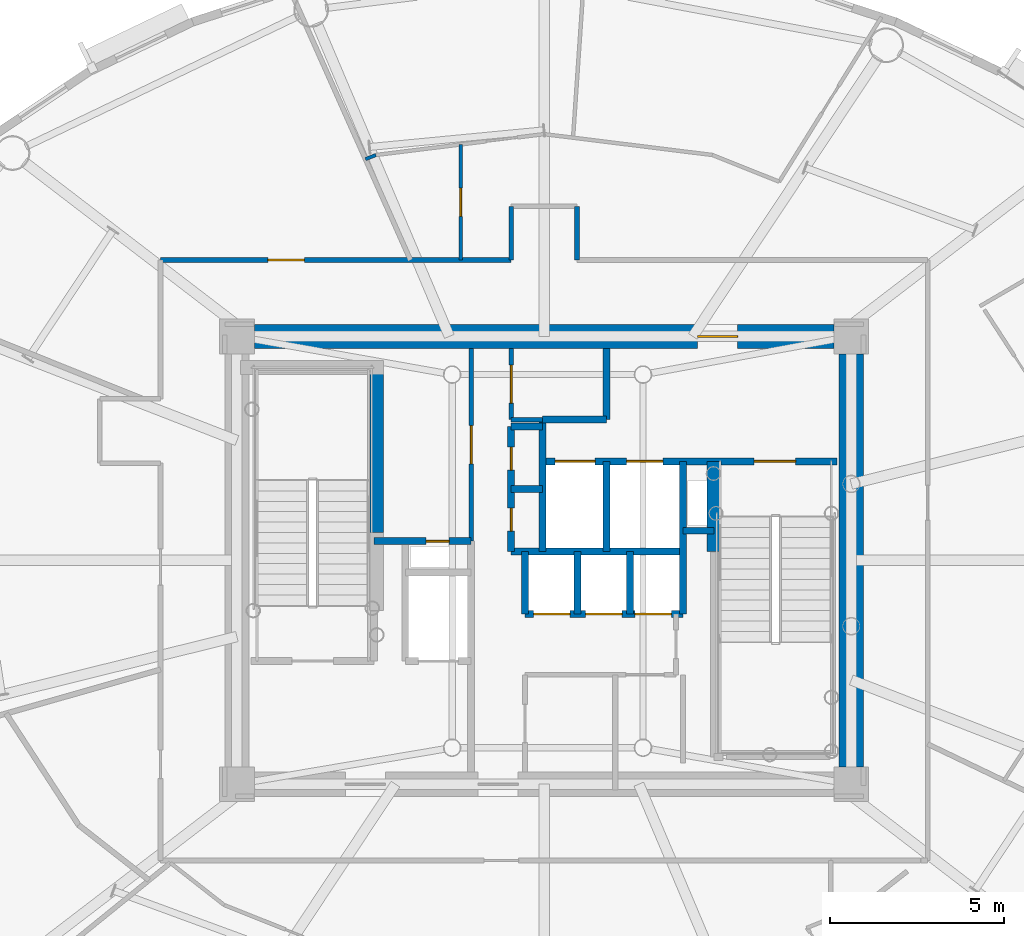
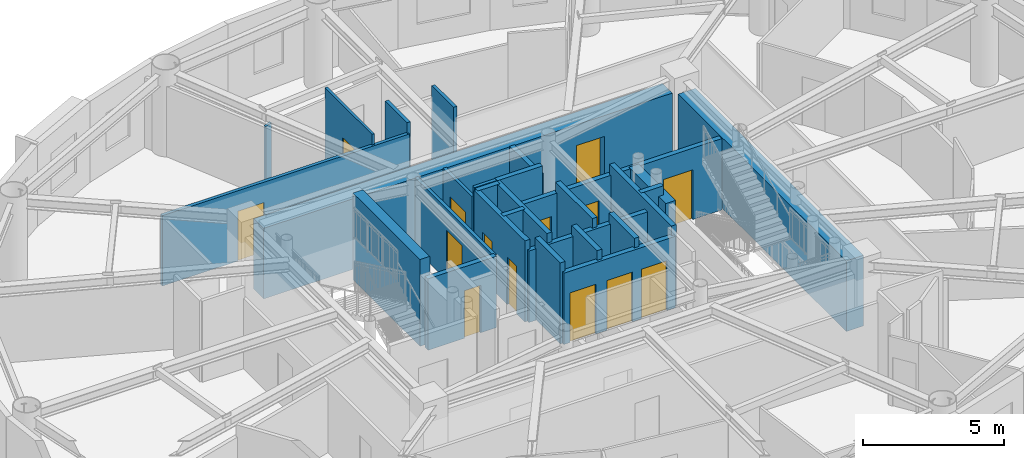
# One storey, part 8 of 17: 28 walls, 14 doors, 14 openings.
"""IFC4 building model written with IfcOpenShell, lengths in metres."""

from ifc_helpers import new_model, si_unit, direction, frame, frame_2d, origin, origin_2d, place, context, subcontext, project, spatial, rectangle, extrude, source, transform, mapped, material, layer, layer_set, type_object, element, fill, save


model = new_model("IFC4")

# Units and contexts
model_context = context("Model", 3, precision=1e-05, world=origin(), true_north=direction((0.0, 1.0)))
body_context = subcontext(model_context, "Body", "Model", "MODEL_VIEW")
ifc_project = project(units=[si_unit("LENGTHUNIT", "METRE"), si_unit("AREAUNIT", "SQUARE_METRE"), si_unit("VOLUMEUNIT", "CUBIC_METRE"), si_unit("PLANEANGLEUNIT", "RADIAN"), si_unit("MASSUNIT", "GRAM", prefix="KILO")], contexts=[model_context])

# Site, building, storey
site_placement = place(None, origin())
site = spatial("IfcSite", under=ifc_project, at=site_placement, CompositionType="ELEMENT")
building_placement = place(site_placement, origin())
building = spatial("IfcBuilding", under=site, at=building_placement, Name="Linh Dai School and Residence Tower", CompositionType="ELEMENT")
storey_placement = place(building_placement, frame((0.0, 0.0, 310.5)))
storey = spatial("IfcBuildingStorey", under=building, at=storey_placement, Name="L77", CompositionType="ELEMENT", Elevation=310.5)

# Wall, opening, door
ifc_material_1 = material(Name="Autoclaved Aerated Concrete Blockwork", Category="masonry")
ifc_layer_1 = layer(ifc_material_1, 0.135009765625)
ifc_layer_set_1 = layer_set([ifc_layer_1], Name="Autoclaved Aerated Concrete Blockwork")
wall_type_1 = type_object("IfcWallType", Name="IW-CORR-135-EI90", PredefinedType="PARTITIONING", material=ifc_layer_set_1)
wall_1_placement = place(storey_placement, frame((24.949951171875, 35.64990234375, 0.0), z_axis=(0.0, 0.0, 1.0), x_axis=(1.0, 0.0, 0.0)))
wall_1 = element("IfcWall", 1, at=wall_1_placement, inside=storey, type_object=wall_type_1, Name="L77 Interior Partition Wall 012", PredefinedType="PARTITIONING", context=body_context, shape_type="SweptSolid", body=[
    extrude(rectangle(XDim=10.10009765625, YDim=0.135009765625, at=frame_2d((5.050048828125, 0.0))), origin(), (0.0, 0.0, 1.0), 3.034912109375),
])
opening_1_placement = place(wall_1_placement, frame((3.094482421875, 0.0, 0.0)))
opening_1 = element("IfcOpeningElement", 2, at=opening_1_placement, cuts=wall_1, Name="Opening D04", PredefinedType="OPENING", context=body_context, shape_type="SweptSolid", body=[
    extrude(rectangle(XDim=1.050048828125, YDim=2.14990234375, at=origin_2d()), frame((0.52490234375, 0.07763671875, 1.074951171875), z_axis=(0.0, -1.0, 0.0), x_axis=(1.0, 0.0, 0.0)), (0.0, 0.0, 1.0), 0.155029296875),
])
ifc_material_2 = material(Name="Acoustic Vision-Panel Timber Classroom Door", Category="wood")
door_type_1 = type_object("IfcDoorType", Name="DR-SCH-1050x2150-FD60S", OperationType="NOTDEFINED", PredefinedType="DOOR", material=ifc_material_2)
shared_shape_1 = source(origin(), body_context, "Body", "SweptSolid", [
    extrude(rectangle(XDim=1.050048828125, YDim=2.14990234375, at=origin_2d()), frame((0.52490234375, 0.02490234375, 1.074951171875), z_axis=(0.0, -1.0, 0.0), x_axis=(1.0, 0.0, 0.0)), (0.0, 0.0, 1.0), 0.050048828125),
])
door_1_placement = place(opening_1_placement, origin())
door_1 = element("IfcDoor", 3, at=door_1_placement, inside=storey, type_object=door_type_1, Name="L77 High-Zone Resident Gallery Door", OperationType="SINGLE_SWING_RIGHT", OverallHeight=2.14990234375, OverallWidth=1.050048828125, PredefinedType="DOOR", context=body_context, shape_type="MappedRepresentation", body=[
    mapped(shared_shape_1, transform((0.0, 0.0, 0.0), x_axis=(1.0, 0.0, 0.0), y_axis=(0.0, 1.0, 0.0), z_axis=(0.0, 0.0, 1.0), scale=1.0)),
])
fill(opening_1, door_1)

wall_2_placement = place(storey_placement, frame((33.89990234375, 27.56005859375, 0.0), z_axis=(0.0, 0.0, 1.0), x_axis=(0.0, 1.0, 0.0)))
wall_2 = element("IfcWall", 4, at=wall_2_placement, inside=storey, type_object=wall_type_1, Name="L77 Interior Partition Wall 028", PredefinedType="PARTITIONING", context=body_context, shape_type="SweptSolid", body=[
    extrude(rectangle(XDim=5.5400390625, YDim=0.135009765625, at=frame_2d((2.77001953125, 0.0))), origin(), (0.0, 0.0, 1.0), 3.0849609375),
])
opening_2_placement = place(wall_2_placement, frame((2.219970703125, 0.0, 0.0)))
opening_2 = element("IfcOpeningElement", 5, at=opening_2_placement, cuts=wall_2, Name="Opening D07", PredefinedType="OPENING", context=body_context, shape_type="SweptSolid", body=[
    extrude(rectangle(XDim=1.10009765625, YDim=2.14990234375, at=origin_2d()), frame((0.550048828125, 0.07763671875, 1.074951171875), z_axis=(0.0, -1.0, 0.0), x_axis=(1.0, 0.0, 0.0)), (0.0, 0.0, 1.0), 0.155029296875),
])
ifc_material_3 = material(Name="Fire-Rated Louvred Steel Plant Door", Category="steel")
door_type_2 = type_object("IfcDoorType", Name="DR-PLT-1100x2150-FD60S", OperationType="NOTDEFINED", PredefinedType="DOOR", material=ifc_material_3)
shared_shape_2 = source(origin(), body_context, "Body", "SweptSolid", [
    extrude(rectangle(XDim=1.10009765625, YDim=2.14990234375, at=origin_2d()), frame((0.550048828125, 0.02490234375, 1.074951171875), z_axis=(0.0, -1.0, 0.0), x_axis=(1.0, 0.0, 0.0)), (0.0, 0.0, 1.0), 0.050048828125),
])
door_2_placement = place(opening_2_placement, origin())
door_2 = element("IfcDoor", 6, at=door_2_placement, inside=storey, type_object=door_type_2, Name="L77 High-Zone Housekeeping Suite Door", OperationType="SINGLE_SWING_LEFT", OverallHeight=2.14990234375, OverallWidth=1.10009765625, PredefinedType="DOOR", context=body_context, shape_type="MappedRepresentation", body=[
    mapped(shared_shape_2, transform((0.0, 0.0, 0.0), x_axis=(1.0, 0.0, 0.0), y_axis=(0.0, 1.0, 0.0), z_axis=(0.0, 0.0, 1.0), scale=1.0)),
])
fill(opening_2, door_2)

wall_3_placement = place(storey_placement, frame((35.050048828125, 31.050048828125, 0.0), z_axis=(0.0, 0.0, 1.0), x_axis=(0.0, 1.0, 0.0)))
wall_3 = element("IfcWall", 7, at=wall_3_placement, inside=storey, type_object=wall_type_1, Name="L77 Interior Partition Wall 033", PredefinedType="PARTITIONING", context=body_context, shape_type="SweptSolid", body=[
    extrude(rectangle(XDim=2.050048828125, YDim=0.135009765625, at=frame_2d((1.02490234375, 0.0))), origin(), (0.0, 0.0, 1.0), 3.0849609375),
])
opening_3_placement = place(wall_3_placement, frame((0.47509765625, 0.0, 0.0)))
opening_3 = element("IfcOpeningElement", 8, at=opening_3_placement, cuts=wall_3, Name="Opening D07", PredefinedType="OPENING", context=body_context, shape_type="SweptSolid", body=[
    extrude(rectangle(XDim=1.10009765625, YDim=2.14990234375, at=origin_2d()), frame((0.550048828125, 0.07763671875, 1.074951171875), z_axis=(0.0, -1.0, 0.0), x_axis=(1.0, 0.0, 0.0)), (0.0, 0.0, 1.0), 0.155029296875),
])
door_3_placement = place(opening_3_placement, origin())
door_3 = element("IfcDoor", 9, at=door_3_placement, inside=storey, type_object=door_type_2, Name="L77 North BMS Switchroom Door", OperationType="SINGLE_SWING_RIGHT", OverallHeight=2.14990234375, OverallWidth=1.10009765625, PredefinedType="DOOR", context=body_context, shape_type="MappedRepresentation", body=[
    mapped(shared_shape_2, transform((0.0, 0.0, 0.0), x_axis=(1.0, 0.0, 0.0), y_axis=(0.0, 1.0, 0.0), z_axis=(0.0, 0.0, 1.0), scale=1.0)),
])
fill(opening_3, door_3)

# Walls
wall_4_placement = place(storey_placement, frame((35.050048828125, 31.050048828125, 0.0), z_axis=(0.0, 0.0, 1.0), x_axis=(1.0, 0.0, 0.0)))
element("IfcWall", 10, at=wall_4_placement, inside=storey, type_object=wall_type_1, Name="L77 Interior Partition Wall 034", PredefinedType="PARTITIONING", context=body_context, shape_type="SweptSolid", body=[
    extrude(rectangle(XDim=0.89990234375, YDim=0.135009765625, at=frame_2d((0.449951171875, 0.0))), origin(), (0.0, 0.0, 1.0), 3.5),
])
for number, where, z_axis, x_axis, name in (
    (11, (35.050048828125, 35.64990234375, 0.0), (0.0, 0.0, 1.0), (0.0, 1.0, 0.0), "L77 Interior Partition Wall 035"),
    (12, (36.949951171875, 35.64990234375, 0.0), (0.0, 0.0, 1.0), (0.0, 1.0, 0.0), "L77 Interior Partition Wall 047"),
):
    element("IfcWall", number, at=place(storey_placement, frame(where, z_axis=z_axis, x_axis=x_axis)), inside=storey, type_object=wall_type_1, Name=name, PredefinedType="PARTITIONING", context=body_context, shape_type="SweptSolid", body=[
        extrude(rectangle(XDim=1.550048828125, YDim=0.135009765625, at=frame_2d((0.77490234375, 0.0))), origin(), (0.0, 0.0, 1.0), 3.5),
    ])

# Wall, opening, door
ifc_material_4 = material(Name="Concrete B45 (C35/45)", Category="concrete")
ifc_layer_2 = layer(ifc_material_4, 0.199951171875)
ifc_layer_set_2 = layer_set([ifc_layer_2], Name="Concrete B45 (C35/45)")
wall_type_2 = type_object("IfcWallType", Name="IW-SHAFT-200-EI120", PredefinedType="PARTITIONING", material=ifc_layer_set_2)
wall_5_placement = place(storey_placement, frame((31.10009765625, 27.550048828125, 0.0), z_axis=(0.0, 0.0, 1.0), x_axis=(1.0, 0.0, 0.0)))
wall_5 = element("IfcWall", 13, at=wall_5_placement, inside=storey, type_object=wall_type_2, Name="L77 Interior Partition Wall 020", PredefinedType="PARTITIONING", context=body_context, shape_type="SweptSolid", body=[
    extrude(rectangle(XDim=2.7998046875, YDim=0.199951171875, at=frame_2d((1.39990234375, 0.0))), origin(), (0.0, 0.0, 1.0), 3.0849609375),
])
opening_4_placement = place(wall_5_placement, frame((1.5, 0.0, 0.0)))
opening_4 = element("IfcOpeningElement", 14, at=opening_4_placement, cuts=wall_5, Name="Opening AD1", PredefinedType="OPENING", context=body_context, shape_type="SweptSolid", body=[
    extrude(rectangle(XDim=0.659912109375, YDim=2.050048828125, at=origin_2d()), frame((0.330078125, 0.10986328125, 1.02490234375), z_axis=(0.0, -1.0, 0.0), x_axis=(1.0, 0.0, 0.0)), (0.0, 0.0, 1.0), 0.219970703125),
])
ifc_material_5 = material(Name="Fire-Rated Steel Riser Access Door", Category="steel")
door_type_3 = type_object("IfcDoorType", Name="DR-ACC-660x2050-FD90S", OperationType="NOTDEFINED", PredefinedType="USERDEFINED", material=ifc_material_5)
shared_shape_3 = source(origin(), body_context, "Body", "SweptSolid", [
    extrude(rectangle(XDim=0.659912109375, YDim=2.050048828125, at=origin_2d()), frame((0.330078125, 0.02490234375, 1.02490234375), z_axis=(0.0, -1.0, 0.0), x_axis=(1.0, 0.0, 0.0)), (0.0, 0.0, 1.0), 0.050048828125),
])
door_4_placement = place(opening_4_placement, origin())
door_4 = element("IfcDoor", 15, at=door_4_placement, inside=storey, type_object=door_type_3, Name="L77 Main Electrical Riser Access Door", ObjectType="ACCESS DOOR", OperationType="SINGLE_SWING_RIGHT", OverallHeight=2.050048828125, OverallWidth=0.659912109375, PredefinedType="USERDEFINED", context=body_context, shape_type="MappedRepresentation", body=[
    mapped(shared_shape_3, transform((0.0, 0.0, 0.0), x_axis=(1.0, 0.0, 0.0), y_axis=(0.0, 1.0, 0.0), z_axis=(0.0, 0.0, 1.0), scale=1.0)),
])
fill(opening_4, door_4)

# Wall, openings, doors
wall_6_placement = place(storey_placement, frame((35.050048828125, 27.25, 0.0), z_axis=(0.0, 0.0, 1.0), x_axis=(0.0, 1.0, 0.0)))
wall_6 = element("IfcWall", 16, at=wall_6_placement, inside=storey, type_object=wall_type_2, Name="L77 Interior Partition Wall 029", PredefinedType="PARTITIONING", context=body_context, shape_type="SweptSolid", body=[
    extrude(rectangle(XDim=3.60009765625, YDim=0.199951171875, at=frame_2d((1.800048828125, 0.0))), origin(), (0.0, 0.0, 1.0), 3.5),
])
opening_5_placement = place(wall_6_placement, frame((0.590087890625, 0.0, 0.0)))
opening_5 = element("IfcOpeningElement", 17, at=opening_5_placement, cuts=wall_6, Name="Opening AD1", PredefinedType="OPENING", context=body_context, shape_type="SweptSolid", body=[
    extrude(rectangle(XDim=0.659912109375, YDim=2.050048828125, at=origin_2d()), frame((0.330078125, 0.10986328125, 1.02490234375), z_axis=(0.0, -1.0, 0.0), x_axis=(1.0, 0.0, 0.0)), (0.0, 0.0, 1.0), 0.219970703125),
])
opening_6_placement = place(wall_6_placement, frame((2.35009765625, 0.0, 0.0)))
opening_6 = element("IfcOpeningElement", 18, at=opening_6_placement, cuts=wall_6, Name="Opening AD1", PredefinedType="OPENING", context=body_context, shape_type="SweptSolid", body=[
    extrude(rectangle(XDim=0.659912109375, YDim=2.050048828125, at=origin_2d()), frame((0.330078125, 0.10986328125, 1.02490234375), z_axis=(0.0, -1.0, 0.0), x_axis=(1.0, 0.0, 0.0)), (0.0, 0.0, 1.0), 0.219970703125),
])
door_5_placement = place(opening_5_placement, origin())
door_5 = element("IfcDoor", 19, at=door_5_placement, inside=storey, type_object=door_type_3, Name="L77 Telecom and Data Riser Access Door", ObjectType="ACCESS DOOR", OperationType="SINGLE_SWING_LEFT", OverallHeight=2.050048828125, OverallWidth=0.659912109375, PredefinedType="USERDEFINED", context=body_context, shape_type="MappedRepresentation", body=[
    mapped(shared_shape_3, transform((0.0, 0.0, 0.0), x_axis=(1.0, 0.0, 0.0), y_axis=(0.0, 1.0, 0.0), z_axis=(0.0, 0.0, 1.0), scale=1.0)),
])
fill(opening_5, door_5)
door_6_placement = place(opening_6_placement, origin())
door_6 = element("IfcDoor", 20, at=door_6_placement, inside=storey, type_object=door_type_3, Name="L77 Mechanical and Plumbing Riser Access Door", ObjectType="ACCESS DOOR", OperationType="SINGLE_SWING_RIGHT", OverallHeight=2.050048828125, OverallWidth=0.659912109375, PredefinedType="USERDEFINED", context=body_context, shape_type="MappedRepresentation", body=[
    mapped(shared_shape_3, transform((0.0, 0.0, 0.0), x_axis=(1.0, 0.0, 0.0), y_axis=(0.0, 1.0, 0.0), z_axis=(0.0, 0.0, 1.0), scale=1.0)),
])
fill(opening_6, door_6)

# Walls
wall_7_placement = place(storey_placement, frame((35.050048828125, 27.25, 0.0), z_axis=(0.0, 0.0, 1.0), x_axis=(1.0, 0.0, 0.0)))
element("IfcWall", 21, at=wall_7_placement, inside=storey, type_object=wall_type_2, Name="L77 Interior Partition Wall 030", PredefinedType="PARTITIONING", context=body_context, shape_type="SweptSolid", body=[
    extrude(rectangle(XDim=4.949951171875, YDim=0.199951171875, at=frame_2d((2.47509765625, 0.0))), origin(), (0.0, 0.0, 1.0), 3.0849609375),
])
for number, where, z_axis, x_axis, name in (
    (22, (35.050048828125, 29.050048828125, 0.0), (0.0, 0.0, 1.0), (1.0, 0.0, 0.0), "L77 Interior Partition Wall 031"),
    (23, (35.050048828125, 30.85009765625, 0.0), (0.0, 0.0, 1.0), (1.0, 0.0, 0.0), "L77 Interior Partition Wall 032"),
):
    element("IfcWall", number, at=place(storey_placement, frame(where, z_axis=z_axis, x_axis=x_axis)), inside=storey, type_object=wall_type_2, Name=name, PredefinedType="PARTITIONING", context=body_context, shape_type="SweptSolid", body=[
        extrude(rectangle(XDim=0.89990234375, YDim=0.199951171875, at=frame_2d((0.449951171875, 0.0))), origin(), (0.0, 0.0, 1.0), 3.5),
    ])
wall_8_placement = place(storey_placement, frame((35.449951171875, 25.449951171875, 0.0), z_axis=(0.0, 0.0, 1.0), x_axis=(0.0, 1.0, 0.0)))
element("IfcWall", 24, at=wall_8_placement, inside=storey, type_object=wall_type_2, Name="L77 Interior Partition Wall 039", PredefinedType="PARTITIONING", context=body_context, shape_type="SweptSolid", body=[
    extrude(rectangle(XDim=1.800048828125, YDim=0.199951171875, at=frame_2d((0.89990234375, 0.0))), origin(), (0.0, 0.0, 1.0), 3.5),
])

# Wall, openings, doors
wall_9_placement = place(storey_placement, frame((35.449951171875, 25.449951171875, 0.0), z_axis=(0.0, 0.0, 1.0), x_axis=(1.0, 0.0, 0.0)))
wall_9 = element("IfcWall", 25, at=wall_9_placement, inside=storey, type_object=wall_type_2, Name="L77 Interior Partition Wall 040", PredefinedType="PARTITIONING", context=body_context, shape_type="SweptSolid", body=[
    extrude(rectangle(XDim=4.550048828125, YDim=0.199951171875, at=frame_2d((2.27490234375, 0.0))), origin(), (0.0, 0.0, 1.0), 3.0849609375),
])
opening_7_placement = place(wall_9_placement, frame((0.25, 0.0, 0.0)))
opening_7 = element("IfcOpeningElement", 26, at=opening_7_placement, cuts=wall_9, Name="Opening LD-PL7", PredefinedType="OPENING", context=body_context, shape_type="SweptSolid", body=[
    extrude(rectangle(XDim=1.050048828125, YDim=2.14990234375, at=origin_2d()), frame((0.52490234375, 0.10986328125, 1.074951171875), z_axis=(0.0, -1.0, 0.0), x_axis=(1.0, 0.0, 0.0)), (0.0, 0.0, 1.0), 0.219970703125),
])
opening_8_placement = place(wall_9_placement, frame((1.7451171875, 0.0, 0.0)))
opening_8 = element("IfcOpeningElement", 27, at=opening_8_placement, cuts=wall_9, Name="Opening LD-PL8", PredefinedType="OPENING", context=body_context, shape_type="SweptSolid", body=[
    extrude(rectangle(XDim=1.050048828125, YDim=2.14990234375, at=origin_2d()), frame((0.52490234375, 0.10986328125, 1.074951171875), z_axis=(0.0, -1.0, 0.0), x_axis=(1.0, 0.0, 0.0)), (0.0, 0.0, 1.0), 0.219970703125),
])
opening_9_placement = place(wall_9_placement, frame((3.1650390625, 0.0, 0.0)))
opening_9 = element("IfcOpeningElement", 28, at=opening_9_placement, cuts=wall_9, Name="Opening LD-PL9", PredefinedType="OPENING", context=body_context, shape_type="SweptSolid", body=[
    extrude(rectangle(XDim=1.050048828125, YDim=2.14990234375, at=origin_2d()), frame((0.52490234375, 0.10986328125, 1.074951171875), z_axis=(0.0, -1.0, 0.0), x_axis=(1.0, 0.0, 0.0)), (0.0, 0.0, 1.0), 0.219970703125),
])
ifc_material_6 = material(Name="Brushed Stainless Steel Lift Landing Door", Category="steel")
door_type_4 = type_object("IfcDoorType", Name="DR-LD-PASS-1050x2150", OperationType="DOUBLE_DOOR_SLIDING", PredefinedType="USERDEFINED", material=ifc_material_6)
shared_shape_4 = source(origin(), body_context, "Body", "SweptSolid", [
    extrude(rectangle(XDim=1.050048828125, YDim=2.14990234375, at=origin_2d()), frame((0.52490234375, 0.02490234375, 1.074951171875), z_axis=(0.0, -1.0, 0.0), x_axis=(1.0, 0.0, 0.0)), (0.0, 0.0, 1.0), 0.050048828125),
])
door_7_placement = place(opening_7_placement, origin())
door_7 = element("IfcDoor", 29, at=door_7_placement, inside=storey, type_object=door_type_4, Name="L77 Lift PL7 Sliding Landing Door", ObjectType="LANDING DOOR", OperationType="DOUBLE_DOOR_SLIDING", OverallHeight=2.14990234375, OverallWidth=1.050048828125, PredefinedType="USERDEFINED", context=body_context, shape_type="MappedRepresentation", body=[
    mapped(shared_shape_4, transform((0.0, 0.0, 0.0), x_axis=(1.0, 0.0, 0.0), y_axis=(0.0, 1.0, 0.0), z_axis=(0.0, 0.0, 1.0), scale=1.0)),
])
fill(opening_7, door_7)
door_8_placement = place(opening_8_placement, origin())
door_8 = element("IfcDoor", 30, at=door_8_placement, inside=storey, type_object=door_type_4, Name="L77 Lift PL8 Sliding Landing Door", ObjectType="LANDING DOOR", OperationType="DOUBLE_DOOR_SLIDING", OverallHeight=2.14990234375, OverallWidth=1.050048828125, PredefinedType="USERDEFINED", context=body_context, shape_type="MappedRepresentation", body=[
    mapped(shared_shape_4, transform((0.0, 0.0, 0.0), x_axis=(1.0, 0.0, 0.0), y_axis=(0.0, 1.0, 0.0), z_axis=(0.0, 0.0, 1.0), scale=1.0)),
])
fill(opening_8, door_8)
door_9_placement = place(opening_9_placement, origin())
door_9 = element("IfcDoor", 31, at=door_9_placement, inside=storey, type_object=door_type_4, Name="L77 Lift PL9 Sliding Landing Door", ObjectType="LANDING DOOR", OperationType="DOUBLE_DOOR_SLIDING", OverallHeight=2.14990234375, OverallWidth=1.050048828125, PredefinedType="USERDEFINED", context=body_context, shape_type="MappedRepresentation", body=[
    mapped(shared_shape_4, transform((0.0, 0.0, 0.0), x_axis=(1.0, 0.0, 0.0), y_axis=(0.0, 1.0, 0.0), z_axis=(0.0, 0.0, 1.0), scale=1.0)),
])
fill(opening_9, door_9)

# Wall
wall_10_placement = place(storey_placement, frame((35.949951171875, 27.25, 0.0), z_axis=(0.0, 0.0, 1.0), x_axis=(0.0, 1.0, 0.0)))
element("IfcWall", 32, at=wall_10_placement, inside=storey, type_object=wall_type_2, Name="L77 Interior Partition Wall 041", PredefinedType="PARTITIONING", context=body_context, shape_type="SweptSolid", body=[
    extrude(rectangle(XDim=3.800048828125, YDim=0.199951171875, at=frame_2d((1.89990234375, 0.0))), origin(), (0.0, 0.0, 1.0), 3.5),
])

# Wall, openings, doors
wall_11_placement = place(storey_placement, frame((35.949951171875, 29.85009765625, 0.0), z_axis=(0.0, 0.0, 1.0), x_axis=(1.0, 0.0, 0.0)))
wall_11 = element("IfcWall", 33, at=wall_11_placement, inside=storey, type_object=wall_type_2, Name="L77 Interior Partition Wall 042", PredefinedType="PARTITIONING", context=body_context, shape_type="SweptSolid", body=[
    extrude(rectangle(XDim=8.489990234375, YDim=0.199951171875, at=frame_2d((4.2451171875, 0.0))), origin(), (0.0, 0.0, 1.0), 3.0849609375),
])
opening_10_placement = place(wall_11_placement, frame((6.10009765625, 0.0, 0.0)))
opening_10 = element("IfcOpeningElement", 34, at=opening_10_placement, cuts=wall_11, Name="Opening D01", PredefinedType="OPENING", context=body_context, shape_type="SweptSolid", body=[
    extrude(rectangle(XDim=1.199951171875, YDim=2.14990234375, at=origin_2d()), frame((0.60009765625, 0.10986328125, 1.074951171875), z_axis=(0.0, -1.0, 0.0), x_axis=(1.0, 0.0, 0.0)), (0.0, 0.0, 1.0), 0.219970703125),
])
opening_11_placement = place(wall_11_placement, frame((0.3701171875, 0.0, 0.0)))
opening_11 = element("IfcOpeningElement", 35, at=opening_11_placement, cuts=wall_11, Name="Opening LD-FF1", PredefinedType="OPENING", context=body_context, shape_type="SweptSolid", body=[
    extrude(rectangle(XDim=1.14990234375, YDim=2.14990234375, at=origin_2d()), frame((0.574951171875, 0.10986328125, 1.074951171875), z_axis=(0.0, -1.0, 0.0), x_axis=(1.0, 0.0, 0.0)), (0.0, 0.0, 1.0), 0.219970703125),
])
opening_12_placement = place(wall_11_placement, frame((2.425048828125, 0.0, 0.0)))
opening_12 = element("IfcOpeningElement", 36, at=opening_12_placement, cuts=wall_11, Name="Opening LD-SV1", PredefinedType="OPENING", context=body_context, shape_type="SweptSolid", body=[
    extrude(rectangle(XDim=1.050048828125, YDim=2.14990234375, at=origin_2d()), frame((0.52490234375, 0.10986328125, 1.074951171875), z_axis=(0.0, -1.0, 0.0), x_axis=(1.0, 0.0, 0.0)), (0.0, 0.0, 1.0), 0.219970703125),
])
ifc_material_7 = material(Name="Fire-Rated Steel Door Leaf", Category="steel")
door_type_5 = type_object("IfcDoorType", Name="DR-STAIR-1200x2150-FD90S", OperationType="NOTDEFINED", PredefinedType="DOOR", material=ifc_material_7)
shared_shape_5 = source(origin(), body_context, "Body", "SweptSolid", [
    extrude(rectangle(XDim=1.199951171875, YDim=2.14990234375, at=origin_2d()), frame((0.60009765625, 0.02490234375, 1.074951171875), z_axis=(0.0, -1.0, 0.0), x_axis=(1.0, 0.0, 0.0)), (0.0, 0.0, 1.0), 0.050048828125),
])
door_10_placement = place(opening_10_placement, origin())
door_10 = element("IfcDoor", 37, at=door_10_placement, inside=storey, type_object=door_type_5, Name="L77 Core Smokeproof Exit Stair ST2 Door", OperationType="SINGLE_SWING_LEFT", OverallHeight=2.14990234375, OverallWidth=1.199951171875, PredefinedType="DOOR", context=body_context, shape_type="MappedRepresentation", body=[
    mapped(shared_shape_5, transform((0.0, 0.0, 0.0), x_axis=(1.0, 0.0, 0.0), y_axis=(0.0, 1.0, 0.0), z_axis=(0.0, 0.0, 1.0), scale=1.0)),
])
fill(opening_10, door_10)
ifc_material_8 = material(Name="Fire-Rated Stainless Steel Firefighting Lift Door", Category="steel")
door_type_6 = type_object("IfcDoorType", Name="DR-LD-FF-1150x2150-FD120", OperationType="DOUBLE_DOOR_SLIDING", PredefinedType="USERDEFINED", material=ifc_material_8)
shared_shape_6 = source(origin(), body_context, "Body", "SweptSolid", [
    extrude(rectangle(XDim=1.14990234375, YDim=2.14990234375, at=origin_2d()), frame((0.574951171875, 0.02490234375, 1.074951171875), z_axis=(0.0, -1.0, 0.0), x_axis=(1.0, 0.0, 0.0)), (0.0, 0.0, 1.0), 0.050048828125),
])
door_11_placement = place(opening_11_placement, origin())
door_11 = element("IfcDoor", 38, at=door_11_placement, inside=storey, type_object=door_type_6, Name="L77 Lift FF1 Sliding Landing Door", ObjectType="LANDING DOOR", OperationType="DOUBLE_DOOR_SLIDING", OverallHeight=2.14990234375, OverallWidth=1.14990234375, PredefinedType="USERDEFINED", context=body_context, shape_type="MappedRepresentation", body=[
    mapped(shared_shape_6, transform((0.0, 0.0, 0.0), x_axis=(1.0, 0.0, 0.0), y_axis=(0.0, 1.0, 0.0), z_axis=(0.0, 0.0, 1.0), scale=1.0)),
])
fill(opening_11, door_11)
door_12_placement = place(opening_12_placement, origin())
door_12 = element("IfcDoor", 39, at=door_12_placement, inside=storey, type_object=door_type_4, Name="L77 Lift SV1 Sliding Landing Door", ObjectType="LANDING DOOR", OperationType="DOUBLE_DOOR_SLIDING", OverallHeight=2.14990234375, OverallWidth=1.050048828125, PredefinedType="USERDEFINED", context=body_context, shape_type="MappedRepresentation", body=[
    mapped(shared_shape_4, transform((0.0, 0.0, 0.0), x_axis=(1.0, 0.0, 0.0), y_axis=(0.0, 1.0, 0.0), z_axis=(0.0, 0.0, 1.0), scale=1.0)),
])
fill(opening_12, door_12)

# Walls
wall_12_placement = place(storey_placement, frame((35.9599609375, 31.050048828125, 0.0), z_axis=(0.0, 0.0, 1.0), x_axis=(1.0, 0.0, 0.0)))
element("IfcWall", 40, at=wall_12_placement, inside=storey, type_object=wall_type_2, Name="L77 Interior Partition Wall 043", PredefinedType="PARTITIONING", context=body_context, shape_type="SweptSolid", body=[
    extrude(rectangle(XDim=1.840087890625, YDim=0.199951171875, at=frame_2d((0.919921875, 0.0))), origin(), (0.0, 0.0, 1.0), 3.5),
])
wall_13_placement = place(storey_placement, frame((36.9599609375, 25.449951171875, 0.0), z_axis=(0.0, 0.0, 1.0), x_axis=(0.0, 1.0, 0.0)))
element("IfcWall", 41, at=wall_13_placement, inside=storey, type_object=wall_type_2, Name="L77 Interior Partition Wall 049", PredefinedType="PARTITIONING", context=body_context, shape_type="SweptSolid", body=[
    extrude(rectangle(XDim=1.800048828125, YDim=0.199951171875, at=frame_2d((0.89990234375, 0.0))), origin(), (0.0, 0.0, 1.0), 3.5),
])
wall_14_placement = place(storey_placement, frame((37.800048828125, 27.25, 0.0), z_axis=(0.0, 0.0, 1.0), x_axis=(0.0, 1.0, 0.0)))
element("IfcWall", 42, at=wall_14_placement, inside=storey, type_object=wall_type_2, Name="L77 Interior Partition Wall 051", PredefinedType="PARTITIONING", context=body_context, shape_type="SweptSolid", body=[
    extrude(rectangle(XDim=2.60009765625, YDim=0.199951171875, at=frame_2d((1.300048828125, 0.0))), origin(), (0.0, 0.0, 1.0), 3.5),
])
wall_15_placement = place(storey_placement, frame((37.800048828125, 31.050048828125, 0.0), z_axis=(0.0, 0.0, 1.0), x_axis=(0.0, 1.0, 0.0)))
element("IfcWall", 43, at=wall_15_placement, inside=storey, type_object=wall_type_2, Name="L77 Interior Partition Wall 052", PredefinedType="PARTITIONING", context=body_context, shape_type="SweptSolid", body=[
    extrude(rectangle(XDim=2.050048828125, YDim=0.199951171875, at=frame_2d((1.02490234375, 0.0))), origin(), (0.0, 0.0, 1.0), 3.0849609375),
])
wall_16_placement = place(storey_placement, frame((38.47998046875, 25.449951171875, 0.0), z_axis=(0.0, 0.0, 1.0), x_axis=(0.0, 1.0, 0.0)))
element("IfcWall", 44, at=wall_16_placement, inside=storey, type_object=wall_type_2, Name="L77 Interior Partition Wall 055", PredefinedType="PARTITIONING", context=body_context, shape_type="SweptSolid", body=[
    extrude(rectangle(XDim=1.800048828125, YDim=0.199951171875, at=frame_2d((0.89990234375, 0.0))), origin(), (0.0, 0.0, 1.0), 3.5),
])
wall_17_placement = place(storey_placement, frame((40.0, 25.449951171875, 0.0), z_axis=(0.0, 0.0, 1.0), x_axis=(0.0, 1.0, 0.0)))
element("IfcWall", 45, at=wall_17_placement, inside=storey, type_object=wall_type_2, Name="L77 Interior Partition Wall 057", PredefinedType="PARTITIONING", context=body_context, shape_type="SweptSolid", body=[
    extrude(rectangle(XDim=4.400146484375, YDim=0.199951171875, at=frame_2d((2.2001953125, 0.0))), origin(), (0.0, 0.0, 1.0), 3.5),
])
wall_18_placement = place(storey_placement, frame((40.0, 27.85009765625, 0.0), z_axis=(0.0, 0.0, 1.0), x_axis=(1.0, 0.0, 0.0)))
element("IfcWall", 46, at=wall_18_placement, inside=storey, type_object=wall_type_2, Name="L77 Interior Partition Wall 058", PredefinedType="PARTITIONING", context=body_context, shape_type="SweptSolid", body=[
    extrude(rectangle(XDim=0.89990234375, YDim=0.199951171875, at=frame_2d((0.449951171875, 0.0))), origin(), (0.0, 0.0, 1.0), 3.5),
])
ifc_material_9 = material(Name="Gypsum Plasterboard Acoustic Stud Partition", Category="masonry")
ifc_layer_3 = layer(ifc_material_9, 0.10009765625)
ifc_layer_set_3 = layer_set([ifc_layer_3], Name="Gypsum Plasterboard Acoustic Stud Partition")
wall_type_3 = type_object("IfcWallType", Name="IW-UNIT-100", PredefinedType="PARTITIONING", material=ifc_layer_set_3)
wall_19_placement = place(storey_placement, frame((30.854248046875, 38.557373046875, 0.0), z_axis=(0.0, 0.0, 1.0), x_axis=(0.928996661722, 0.370088101011, 0.0)))
element("IfcWall", 47, at=wall_19_placement, inside=storey, type_object=wall_type_3, Name="L77 Interior Partition Wall 018", PredefinedType="PARTITIONING", context=body_context, shape_type="SweptSolid", body=[
    extrude(rectangle(XDim=0.3232421875, YDim=0.10009765625, at=frame_2d((0.16162109375, 0.0))), origin(), (0.0, 0.0, 1.0), 3.034912109375),
])

# Wall, opening, door
wall_20_placement = place(storey_placement, frame((33.59912109375, 35.64990234375, 0.0), z_axis=(0.0, 0.0, 1.0), x_axis=(0.0, 1.0, 0.0)))
wall_20 = element("IfcWall", 48, at=wall_20_placement, inside=storey, type_object=wall_type_3, Name="L77 Interior Partition Wall 026", PredefinedType="PARTITIONING", context=body_context, shape_type="SweptSolid", body=[
    extrude(rectangle(XDim=3.330322265625, YDim=0.10009765625, at=frame_2d((1.6650390625, 0.0))), origin(), (0.0, 0.0, 1.0), 3.5),
])
opening_13_placement = place(wall_20_placement, frame((1.255126953125, 0.0, 0.0)))
opening_13 = element("IfcOpeningElement", 49, at=opening_13_placement, cuts=wall_20, Name="Opening D06", PredefinedType="OPENING", context=body_context, shape_type="SweptSolid", body=[
    extrude(rectangle(XDim=0.820068359375, YDim=2.10009765625, at=origin_2d()), frame((0.41015625, 0.06005859375, 1.050048828125), z_axis=(0.0, -1.0, 0.0), x_axis=(1.0, 0.0, 0.0)), (0.0, 0.0, 1.0), 0.1201171875),
])
ifc_material_10 = material(Name="Moisture-Resistant Timber Bathroom Door", Category="wood")
door_type_7 = type_object("IfcDoorType", Name="DR-WET-820x2100", OperationType="NOTDEFINED", PredefinedType="DOOR", material=ifc_material_10)
shared_shape_7 = source(origin(), body_context, "Body", "SweptSolid", [
    extrude(rectangle(XDim=0.820068359375, YDim=2.10009765625, at=origin_2d()), frame((0.41015625, 0.02490234375, 1.050048828125), z_axis=(0.0, -1.0, 0.0), x_axis=(1.0, 0.0, 0.0)), (0.0, 0.0, 1.0), 0.050048828125),
])
door_13_placement = place(opening_13_placement, origin())
door_13 = element("IfcDoor", 50, at=door_13_placement, inside=storey, type_object=door_type_7, Name="L77 Apartment U7702 Bathroom 1 Door", OperationType="SINGLE_SWING_LEFT", OverallHeight=2.10009765625, OverallWidth=0.820068359375, PredefinedType="DOOR", context=body_context, shape_type="MappedRepresentation", body=[
    mapped(shared_shape_7, transform((0.0, 0.0, 0.0), x_axis=(1.0, 0.0, 0.0), y_axis=(0.0, 1.0, 0.0), z_axis=(0.0, 0.0, 1.0), scale=1.0)),
])
fill(opening_13, door_13)

# Walls
ifc_layer_4 = layer(ifc_material_4, 0.39990234375)
ifc_layer_set_4 = layer_set([ifc_layer_4], Name="Concrete B45 (C35/45)")
wall_type_4 = type_object("IfcWallType", Name="WL-CORE400", PredefinedType="SHEAR", material=ifc_layer_set_4)
wall_21_placement = place(storey_placement, frame((31.179931640625, 27.800048828125, 0.0), z_axis=(0.0, 0.0, 1.0), x_axis=(0.0, 1.0, 0.0)))
element("IfcWall", 51, at=wall_21_placement, inside=storey, type_object=wall_type_4, Name="L77 Core Stair ST1 Bearing Wall E", PredefinedType="SHEAR", context=body_context, shape_type="SweptSolid", body=[
    extrude(rectangle(XDim=4.75, YDim=0.39990234375, at=frame_2d((2.375, 0.0))), origin(), (0.0, 0.0, 1.0), 3.75),
])
wall_22_placement = place(storey_placement, frame((40.89990234375, 27.25, 0.0), z_axis=(0.0, 0.0, 1.0), x_axis=(0.0, 1.0, 0.0)))
element("IfcWall", 52, at=wall_22_placement, inside=storey, type_object=wall_type_4, Name="L77 Internal Core Shear Wall IE", PredefinedType="SHEAR", context=body_context, shape_type="SweptSolid", body=[
    extrude(rectangle(XDim=2.60009765625, YDim=0.39990234375, at=frame_2d((1.300048828125, 0.0))), origin(), (0.0, 0.0, 1.0), 3.10009765625),
])

# Wall, opening, door
ifc_layer_5 = layer(ifc_material_4, 0.699951171875)
ifc_layer_set_5 = layer_set([ifc_layer_5], Name="Concrete B45 (C35/45)")
wall_type_5 = type_object("IfcWallType", Name="WL-CORE700", PredefinedType="SHEAR", material=ifc_layer_set_5)
wall_23_placement = place(storey_placement, frame((27.64990234375, 33.449951171875, 0.0), z_axis=(0.0, 0.0, 1.0), x_axis=(1.0, 0.0, 0.0)))
wall_23 = element("IfcWall", 53, at=wall_23_placement, inside=storey, type_object=wall_type_5, Name="L77 Central Core Shear Wall N", PredefinedType="SHEAR", context=body_context, shape_type="SweptSolid", body=[
    extrude(rectangle(XDim=16.7001953125, YDim=0.699951171875, at=frame_2d((8.35009765625, 0.0))), origin(), (0.0, 0.0, 1.0), 3.050048828125),
])
opening_14_placement = place(wall_23_placement, frame((12.77490234375, 0.0, 0.0)))
opening_14 = element("IfcOpeningElement", 54, at=opening_14_placement, cuts=wall_23, Name="Opening D02", PredefinedType="OPENING", context=body_context, shape_type="SweptSolid", body=[
    extrude(rectangle(XDim=1.14990234375, YDim=2.14990234375, at=origin_2d()), frame((0.574951171875, 0.35986328125, 1.074951171875), z_axis=(0.0, -1.0, 0.0), x_axis=(1.0, 0.0, 0.0)), (0.0, 0.0, 1.0), 0.719970703125),
])
ifc_material_11 = material(Name="Fire-Rated Glazed Steel Lobby Door", Category="steel")
door_type_8 = type_object("IfcDoorType", Name="DR-LOBBY-1150x2150-FD90S", OperationType="NOTDEFINED", PredefinedType="DOOR", material=ifc_material_11)
shared_shape_8 = source(origin(), body_context, "Body", "SweptSolid", [
    extrude(rectangle(XDim=1.14990234375, YDim=2.14990234375, at=origin_2d()), frame((0.574951171875, 0.02490234375, 1.074951171875), z_axis=(0.0, -1.0, 0.0), x_axis=(1.0, 0.0, 0.0)), (0.0, 0.0, 1.0), 0.050048828125),
])
door_14_placement = place(opening_14_placement, origin())
door_14 = element("IfcDoor", 55, at=door_14_placement, inside=storey, type_object=door_type_8, Name="L77 Firefighting Lobby Door", OperationType="SINGLE_SWING_RIGHT", OverallHeight=2.14990234375, OverallWidth=1.14990234375, PredefinedType="DOOR", context=body_context, shape_type="MappedRepresentation", body=[
    mapped(shared_shape_8, transform((0.0, 0.0, 0.0), x_axis=(1.0, 0.0, 0.0), y_axis=(0.0, 1.0, 0.0), z_axis=(0.0, 0.0, 1.0), scale=1.0)),
])
fill(opening_14, door_14)

# Wall
wall_24_placement = place(storey_placement, frame((44.85009765625, 32.949951171875, 0.0), z_axis=(0.0, 0.0, 1.0), x_axis=(0.0, -1.0, 0.0)))
element("IfcWall", 56, at=wall_24_placement, inside=storey, type_object=wall_type_5, Name="L77 Central Core Shear Wall E", PredefinedType="SHEAR", context=body_context, shape_type="SweptSolid", body=[
    extrude(rectangle(XDim=11.89990234375, YDim=0.699951171875, at=frame_2d((5.949951171875, 0.0))), origin(), (0.0, 0.0, 1.0), 3.050048828125),
])

save(model, "model.ifc")
